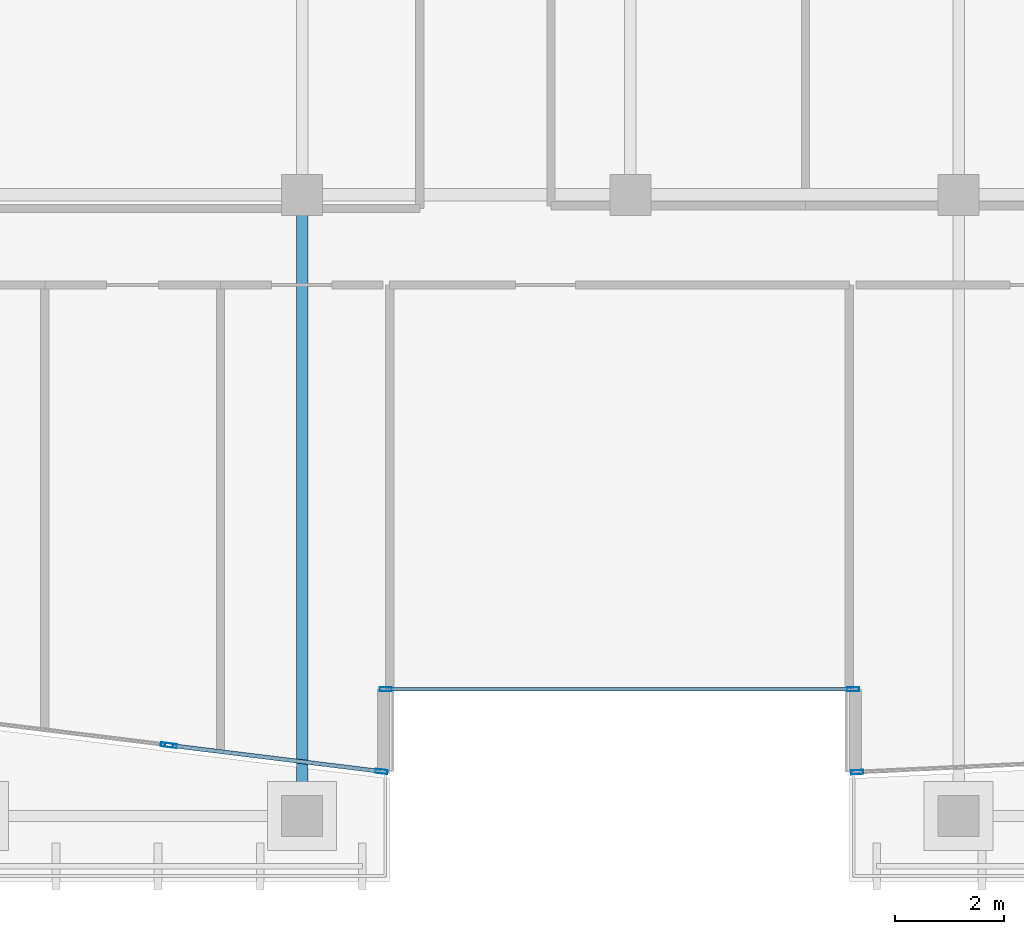
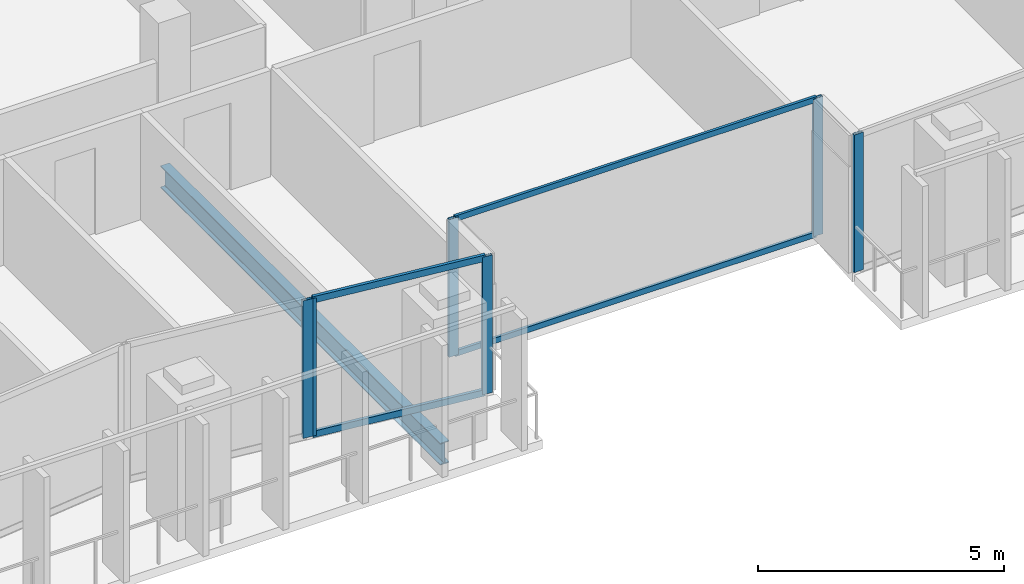
# One storey, part 4 of 31: 10 members, 1 beam, 4 elements without a shape of their own.
"""IFC4 building model written with IfcOpenShell, lengths in metres."""

from ifc_helpers import new_model, si_unit, direction, frame, origin, origin_2d, place, context, subcontext, project, spatial, hollow_rectangle, i_section, extrude, material, layer, layer_set, material_profile, profile_set, type_object, element, aggregate, save


model = new_model("IFC4")

# Units and contexts
model_context = context("Model", 3, precision=1e-05, world=origin(), true_north=direction((0.0, 1.0)))
body_context = subcontext(model_context, "Body", "Model", "MODEL_VIEW")
ifc_project = project(units=[si_unit("LENGTHUNIT", "METRE"), si_unit("AREAUNIT", "SQUARE_METRE"), si_unit("VOLUMEUNIT", "CUBIC_METRE"), si_unit("PLANEANGLEUNIT", "RADIAN"), si_unit("MASSUNIT", "GRAM", prefix="KILO")], contexts=[model_context])

# Site, building, storey
site_placement = place(None, origin())
site = spatial("IfcSite", under=ifc_project, at=site_placement, CompositionType="ELEMENT")
building_placement = place(site_placement, origin())
building = spatial("IfcBuilding", under=site, at=building_placement, Name="Tanjung Sevakor Pilgrim Tower", CompositionType="ELEMENT")
storey_placement = place(building_placement, frame((0.0, 0.0, 208.22998046875)))
storey = spatial("IfcBuildingStorey", under=building, at=storey_placement, Name="L58", CompositionType="ELEMENT", Elevation=208.22998046875)

# Beam
ifc_material_1 = material(Name="Steel S355J2", Category="steel")
ifc_material_profile_1 = material_profile(ifc_material_1, i_section(OverallWidth=0.2119140625, OverallDepth=0.54443359375, WebThickness=0.0126953125, FlangeThickness=0.021240234375, FilletRadius=0.0126953125, at=origin_2d()))
ifc_profile_set_1 = profile_set([ifc_material_profile_1], Name="Steel S355J2")
beam_type = type_object("IfcBeamType", Name="BM-B-G5-UB_533x210x122", PredefinedType="BEAM", material=ifc_profile_set_1)
beam_placement = place(storey_placement, frame((42.0, 13.25, -0.4921875), z_axis=(0.0, 1.0, 0.0), x_axis=(-1.0, 0.0, 0.0)))
element("IfcBeam", 1, at=beam_placement, inside=storey, type_object=beam_type, Name="L58 MAIN Girder 005", PredefinedType="BEAM", context=body_context, shape_type="SweptSolid", body=[
    extrude(i_section(OverallWidth=0.2119140625, OverallDepth=0.54443359375, WebThickness=0.0126953125, FlangeThickness=0.021240234375, FilletRadius=0.0126953125, at=origin_2d()), origin(), (0.0, 0.0, 1.0), 11.35009765625),
])

# Curtain wall, member
ifc_material_2 = material(Name="Aluminium 6063-T6 and Low-E Glass", Category="aluminium")
ifc_layer_1 = layer(ifc_material_2, 0.199951171875)
ifc_layer_set_1 = layer_set([ifc_layer_1], Name="CW-SYS-PRAY")
curtain_wall_type_1 = type_object("IfcCurtainWallType", Name="CW-SYS-PRAY", PredefinedType="NOTDEFINED", material=ifc_layer_set_1)
curtain_wall_1_placement = place(storey_placement, origin())
curtain_wall_1 = element("IfcCurtainWall", 2, at=curtain_wall_1_placement, inside=storey, type_object=curtain_wall_type_1, Name="L58 Curtain Wall CW-PRY-L58-4", PredefinedType="NOTDEFINED")
ifc_material_3 = material(Name="Aluminium 6063-T6", Category="aluminium")
ifc_material_profile_2 = material_profile(ifc_material_3, hollow_rectangle(XDim=0.074951171875, YDim=0.219970703125, WallThickness=0.0048828125, at=origin_2d()))
ifc_profile_set_2 = profile_set([ifc_material_profile_2], Name="Aluminium 6063-T6")
member_type_1 = type_object("IfcMemberType", Name="TYPE-CWM-2", PredefinedType="MULLION", material=ifc_profile_set_2)
member_1_placement = place(storey_placement, frame((39.5263671875, 14.543701171875, 0.0), z_axis=(0.0, 0.0, 1.0), x_axis=(0.122510533794, 0.992467213116, 0.0)))
member_1 = element("IfcMember", 3, at=member_1_placement, type_object=member_type_1, Name="CW-PRY mullion 2", PredefinedType="MULLION", context=body_context, shape_type="SweptSolid", body=[
    extrude(hollow_rectangle(XDim=0.074951171875, YDim=0.219970703125, WallThickness=0.0048828125, at=origin_2d()), origin(), (0.0, 0.0, 1.0), 3.409912109375),
])
aggregate(curtain_wall_1, [member_1])

# Curtain wall, members
curtain_wall_2_placement = place(storey_placement, origin())
curtain_wall_2 = element("IfcCurtainWall", 4, at=curtain_wall_2_placement, inside=storey, type_object=curtain_wall_type_1, Name="L58 Curtain Wall CW-PRY-L58-5", PredefinedType="NOTDEFINED")
member_2_placement = place(storey_placement, frame((39.600830078125, 14.53466796875, 0.0), z_axis=(0.0, 0.0, 1.0), x_axis=(0.122538251863, 0.992463791194, 0.0)))
member_2 = element("IfcMember", 5, at=member_2_placement, type_object=member_type_1, Name="CW-PRY mullion 1", PredefinedType="MULLION", context=body_context, shape_type="SweptSolid", body=[
    extrude(hollow_rectangle(XDim=0.074951171875, YDim=0.219970703125, WallThickness=0.0048828125, at=origin_2d()), origin(), (0.0, 0.0, 1.0), 3.409912109375),
])
member_3_placement = place(storey_placement, frame((43.452880859375, 14.05908203125, 0.0), z_axis=(0.0, 0.0, 1.0), x_axis=(0.122538251863, 0.992463791194, 0.0)))
member_3 = element("IfcMember", 6, at=member_3_placement, type_object=member_type_1, Name="CW-PRY mullion 2", PredefinedType="MULLION", context=body_context, shape_type="SweptSolid", body=[
    extrude(hollow_rectangle(XDim=0.074951171875, YDim=0.219970703125, WallThickness=0.0048828125, at=origin_2d()), origin(), (0.0, 0.0, 1.0), 3.409912109375),
])

ifc_material_4 = material(Name="Aluminium 6063-T6 and Low-E Glass", Category="aluminium")
ifc_layer_2 = layer(ifc_material_4, 0.179931640625)
ifc_layer_set_2 = layer_set([ifc_layer_2], Name="CW-SYS-CLEFT")
curtain_wall_type_2 = type_object("IfcCurtainWallType", Name="CW-SYS-CLEFT", PredefinedType="NOTDEFINED", material=ifc_layer_set_2)
curtain_wall_3_placement = place(storey_placement, origin())
curtain_wall_3 = element("IfcCurtainWall", 7, at=curtain_wall_3_placement, inside=storey, type_object=curtain_wall_type_2, Name="L58 Curtain Wall CW-CLF-L58-7", PredefinedType="NOTDEFINED")
member_4_placement = place(storey_placement, frame((43.527587890625, 15.56005859375, 0.0), z_axis=(0.0, 0.0, 1.0), x_axis=(0.0, 1.0, 0.0)))
member_4 = element("IfcMember", 8, at=member_4_placement, type_object=member_type_1, Name="CW-CLF mullion 1", PredefinedType="MULLION", context=body_context, shape_type="SweptSolid", body=[
    extrude(hollow_rectangle(XDim=0.074951171875, YDim=0.219970703125, WallThickness=0.0048828125, at=origin_2d()), origin(), (0.0, 0.0, 1.0), 3.409912109375),
])
member_5_placement = place(storey_placement, frame((52.072509765625, 15.56005859375, 0.0), z_axis=(0.0, 0.0, 1.0), x_axis=(0.0, 1.0, 0.0)))
member_5 = element("IfcMember", 9, at=member_5_placement, type_object=member_type_1, Name="CW-CLF mullion 2", PredefinedType="MULLION", context=body_context, shape_type="SweptSolid", body=[
    extrude(hollow_rectangle(XDim=0.074951171875, YDim=0.219970703125, WallThickness=0.0048828125, at=origin_2d()), origin(), (0.0, 0.0, 1.0), 3.409912109375),
])

# Curtain wall, member
curtain_wall_4_placement = place(storey_placement, origin())
curtain_wall_4 = element("IfcCurtainWall", 10, at=curtain_wall_4_placement, inside=storey, type_object=curtain_wall_type_1, Name="L58 Curtain Wall CW-PRY-L58-9", PredefinedType="NOTDEFINED")
member_6_placement = place(storey_placement, frame((52.1474609375, 14.047119140625, 0.0), z_axis=(0.0, 0.0, 1.0), x_axis=(-0.047793830125, 0.99885722193, 0.0)))
member_6 = element("IfcMember", 11, at=member_6_placement, type_object=member_type_1, Name="CW-PRY mullion 1", PredefinedType="MULLION", context=body_context, shape_type="SweptSolid", body=[
    extrude(hollow_rectangle(XDim=0.074951171875, YDim=0.219970703125, WallThickness=0.0048828125, at=origin_2d()), origin(), (0.0, 0.0, 1.0), 3.409912109375),
])
aggregate(curtain_wall_4, [member_6])

# Member
ifc_material_5 = material(Name="Aluminium 6063-T6", Category="aluminium")
ifc_material_profile_3 = material_profile(ifc_material_5, hollow_rectangle(XDim=0.06494140625, YDim=0.139892578125, WallThickness=0.00390625, at=origin_2d()))
ifc_profile_set_3 = profile_set([ifc_material_profile_3], Name="Aluminium 6063-T6")
member_type_2 = type_object("IfcMemberType", Name="TYPE-CWT-1", PredefinedType="USERDEFINED", material=ifc_profile_set_3)
member_7_placement = place(storey_placement, frame((43.56494140625, 15.56005859375, 0.032470703125), z_axis=(1.0, 0.0, 0.0), x_axis=(0.0, 1.0, 0.0)))
member_7 = element("IfcMember", 12, at=member_7_placement, type_object=member_type_2, Name="CW-CLF transom 1.1", ObjectType="TRANSOM", PredefinedType="USERDEFINED", context=body_context, shape_type="SweptSolid", body=[
    extrude(hollow_rectangle(XDim=0.06494140625, YDim=0.139892578125, WallThickness=0.00390625, at=origin_2d()), origin(), (0.0, 0.0, 1.0), 8.469970703125),
])

member_8_placement = place(storey_placement, frame((43.56494140625, 15.56005859375, 3.37744140625), z_axis=(1.0, 0.0, 0.0), x_axis=(0.0, 1.0, 0.0)))
member_8 = element("IfcMember", 13, at=member_8_placement, type_object=member_type_2, Name="CW-CLF transom 1.2", ObjectType="TRANSOM", PredefinedType="USERDEFINED", context=body_context, shape_type="SweptSolid", body=[
    extrude(hollow_rectangle(XDim=0.06494140625, YDim=0.139892578125, WallThickness=0.00390625, at=origin_2d()), origin(), (0.0, 0.0, 1.0), 8.469970703125),
])

aggregate(curtain_wall_3, [member_4, member_5, member_7, member_8])

ifc_material_6 = material(Name="Aluminium 6063-T6", Category="aluminium")
ifc_material_profile_4 = material_profile(ifc_material_6, hollow_rectangle(XDim=0.074951171875, YDim=0.159912109375, WallThickness=0.00439453125, at=origin_2d()))
ifc_profile_set_4 = profile_set([ifc_material_profile_4], Name="Aluminium 6063-T6")
member_type_3 = type_object("IfcMemberType", Name="TYPE-CWT-2", PredefinedType="USERDEFINED", material=ifc_profile_set_4)
member_9_placement = place(storey_placement, frame((39.637939453125, 14.530029296875, 0.03759765625), z_axis=(0.992459358153, -0.122574150677, 0.0), x_axis=(0.122574150677, 0.992459358153, 0.0)))
member_9 = element("IfcMember", 14, at=member_9_placement, type_object=member_type_3, Name="CW-PRY transom 1.1", ObjectType="TRANSOM", PredefinedType="USERDEFINED", context=body_context, shape_type="SweptSolid", body=[
    extrude(hollow_rectangle(XDim=0.074951171875, YDim=0.159912109375, WallThickness=0.00439453125, at=origin_2d()), origin(), (0.0, 0.0, 1.0), 3.806396484375),
])

member_10_placement = place(storey_placement, frame((39.637939453125, 14.530029296875, 3.37255859375), z_axis=(0.992459358153, -0.122574150677, 0.0), x_axis=(0.122574150677, 0.992459358153, 0.0)))
member_10 = element("IfcMember", 15, at=member_10_placement, type_object=member_type_3, Name="CW-PRY transom 1.2", ObjectType="TRANSOM", PredefinedType="USERDEFINED", context=body_context, shape_type="SweptSolid", body=[
    extrude(hollow_rectangle(XDim=0.074951171875, YDim=0.159912109375, WallThickness=0.00439453125, at=origin_2d()), origin(), (0.0, 0.0, 1.0), 3.806396484375),
])

aggregate(curtain_wall_2, [member_2, member_3, member_9, member_10])

save(model, "model.ifc")
